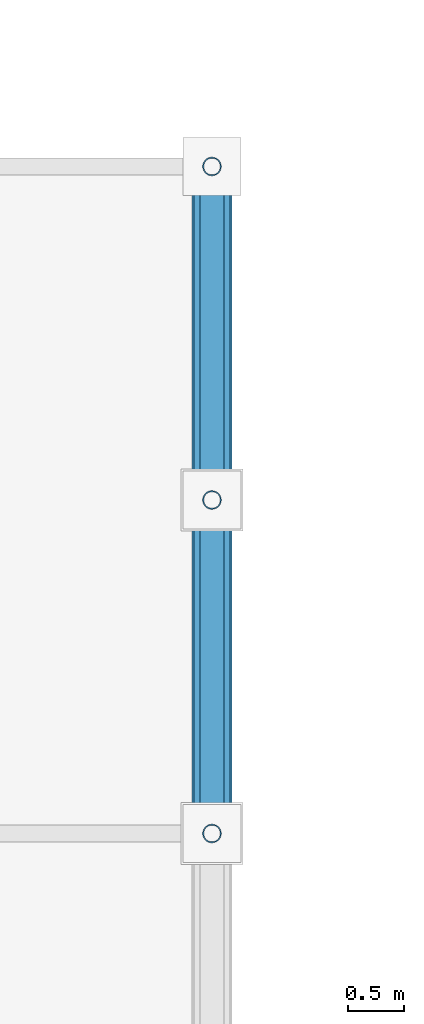
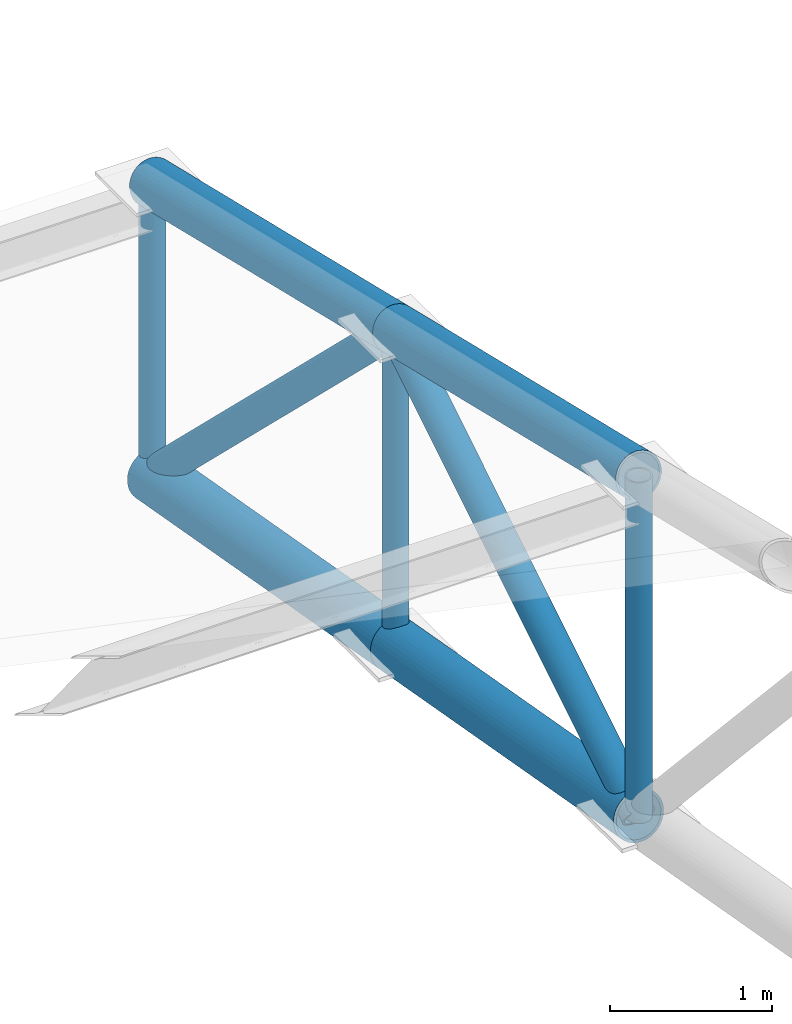
# One storey, part 33 of 123: 9 members.
"""IFC4 building model written with IfcOpenShell, lengths in metres."""

from ifc_helpers import new_model, si_unit, direction, frame, origin, origin_2d, place, context, subcontext, project, spatial, hollow_circle, extrude, material, material_profile, profile_set, type_object, element, save


model = new_model("IFC4")

# Units and contexts
model_context = context("Model", 3, precision=1e-05, world=origin(), true_north=direction((0.0, 1.0)))
body_context = subcontext(model_context, "Body", "Model", "MODEL_VIEW")
ifc_project = project(units=[si_unit("LENGTHUNIT", "METRE"), si_unit("AREAUNIT", "SQUARE_METRE"), si_unit("VOLUMEUNIT", "CUBIC_METRE"), si_unit("PLANEANGLEUNIT", "RADIAN"), si_unit("MASSUNIT", "GRAM", prefix="KILO"), si_unit("THERMODYNAMICTEMPERATUREUNIT", "KELVIN"), si_unit("POWERUNIT", "WATT")], contexts=[model_context])

# Site, building, storey
site_placement = place(None, origin())
site = spatial("IfcSite", under=ifc_project, at=site_placement, CompositionType="ELEMENT")
building_placement = place(site_placement, origin())
building = spatial("IfcBuilding", under=site, at=building_placement, Name="Phaisarnlok Congress Hotel", CompositionType="ELEMENT")
storey_placement = place(building_placement, frame((0.0, 0.0, 15.0)))
storey = spatial("IfcBuildingStorey", under=building, at=storey_placement, Name="L03", CompositionType="ELEMENT", Elevation=15.0)

# Members
ifc_material = material(Name="Steel S355", Category="steel")
ifc_material_profile_1 = material_profile(ifc_material, hollow_circle(Radius=0.084228515625, WallThickness=0.010009765625, at=origin_2d()), Name="CHS 168.3x10")
ifc_profile_set_1 = profile_set([ifc_material_profile_1], Name="Steel S355")
member_type_1 = type_object("IfcMemberType", Name="MEM-BRC-CHS168", PredefinedType="BRACE", material=ifc_profile_set_1)
member_1_placement = place(storey_placement, frame((96.0, 54.0, 0.0), z_axis=(0.0, 0.0, 1.0), x_axis=(1.0, 0.0, 0.0)))
element("IfcMember", 1, at=member_1_placement, inside=storey, type_object=member_type_1, Name="South wing roof truss vertical web", PredefinedType="BRACE", context=body_context, shape_type="SweptSolid", body=[
    extrude(hollow_circle(Radius=0.084228515625, WallThickness=0.010009765625, at=origin_2d()), origin(), (0.0, 0.0, 1.0), 2.199951171875),
])
member_2_placement = place(storey_placement, frame((96.0, 51.0, 0.533447265625), z_axis=(0.0, 0.0, 1.0), x_axis=(1.0, 0.0, 0.0)))
element("IfcMember", 2, at=member_2_placement, inside=storey, type_object=member_type_1, Name="South wing roof truss vertical web", PredefinedType="BRACE", context=body_context, shape_type="SweptSolid", body=[
    extrude(hollow_circle(Radius=0.084228515625, WallThickness=0.010009765625, at=origin_2d()), origin(), (0.0, 0.0, 1.0), 2.382568359375),
])
member_3_placement = place(storey_placement, frame((96.0, 48.0, 1.066650390625), z_axis=(0.0, 0.0, 1.0), x_axis=(1.0, 0.0, 0.0)))
element("IfcMember", 3, at=member_3_placement, inside=storey, type_object=member_type_1, Name="South wing roof truss vertical web", PredefinedType="BRACE", context=body_context, shape_type="SweptSolid", body=[
    extrude(hollow_circle(Radius=0.084228515625, WallThickness=0.010009765625, at=origin_2d()), origin(), (0.0, 0.0, 1.0), 2.5654296875),
])
ifc_material_profile_2 = material_profile(ifc_material, hollow_circle(Radius=0.109619140625, WallThickness=0.012451171875, at=origin_2d()), Name="CHS 219.1x12.5")
ifc_profile_set_2 = profile_set([ifc_material_profile_2], Name="Steel S355")
member_type_2 = type_object("IfcMemberType", Name="MEM-BRC-CHS219", PredefinedType="BRACE", material=ifc_profile_set_2)
member_4_placement = place(storey_placement, frame((96.0, 54.0, 0.0), z_axis=(0.0, -0.717072690854, 0.696998390264), x_axis=(1.0, 0.0, 0.0)))
element("IfcMember", 4, at=member_4_placement, inside=storey, type_object=member_type_2, Name="South wing roof truss diagonal brace", PredefinedType="BRACE", context=body_context, shape_type="SweptSolid", body=[
    extrude(hollow_circle(Radius=0.109619140625, WallThickness=0.012451171875, at=origin_2d()), origin(), (0.0, 0.0, 1.0), 4.18359375),
])
member_5_placement = place(storey_placement, frame((96.0, 48.0, 1.066650390625), z_axis=(0.0, 0.851251329707, 0.524758204959), x_axis=(-1.0, 0.0, 0.0)))
element("IfcMember", 5, at=member_5_placement, inside=storey, type_object=member_type_2, Name="South wing roof truss diagonal brace", PredefinedType="BRACE", context=body_context, shape_type="SweptSolid", body=[
    extrude(hollow_circle(Radius=0.109619140625, WallThickness=0.012451171875, at=origin_2d()), origin(), (0.0, 0.0, 1.0), 3.524169921875),
])
ifc_material_profile_3 = material_profile(ifc_material, hollow_circle(Radius=0.161865234375, WallThickness=0.01611328125, at=origin_2d()), Name="CHS 323.9x16")
ifc_profile_set_3 = profile_set([ifc_material_profile_3], Name="Steel S355")
member_type_3 = type_object("IfcMemberType", Name="MEM-CHD-CHS324", PredefinedType="CHORD", material=ifc_profile_set_3)
for number, where, z_axis, x_axis, name in (
    (6, (96.0, 54.0, 2.199951171875), (0.0, -0.972676115692, 0.232166263617), (1.0, 0.0, 0.0), "South wing roof truss top chord"),
    (7, (96.0, 51.0, 2.916015625), (0.0, -0.972676115692, 0.232166263617), (1.0, 0.0, 0.0), "South wing roof truss top chord"),
):
    element("IfcMember", number, at=place(storey_placement, frame(where, z_axis=z_axis, x_axis=x_axis)), inside=storey, type_object=member_type_3, Name=name, PredefinedType="CHORD", context=body_context, shape_type="SweptSolid", body=[
        extrude(hollow_circle(Radius=0.161865234375, WallThickness=0.01611328125, at=origin_2d()), origin(), (0.0, 0.0, 1.0), 3.084228515625),
    ])
ifc_material_profile_4 = material_profile(ifc_material, hollow_circle(Radius=0.177734375, WallThickness=0.02001953125, at=origin_2d()), Name="CHS 355.6x20")
ifc_profile_set_4 = profile_set([ifc_material_profile_4], Name="Steel S355")
member_type_4 = type_object("IfcMemberType", Name="MEM-CHD-CHS356", PredefinedType="CHORD", material=ifc_profile_set_4)
for number, where, z_axis, x_axis, name in (
    (8, (96.0, 54.0, 0.0), (0.0, -0.984556063496, 0.175069579976), (1.0, 0.0, 0.0), "South wing roof truss bottom chord"),
    (9, (96.0, 51.0, 0.533447265625), (0.0, -0.984569871158, 0.174991910694), (1.0, 0.0, 0.0), "South wing roof truss bottom chord"),
):
    element("IfcMember", number, at=place(storey_placement, frame(where, z_axis=z_axis, x_axis=x_axis)), inside=storey, type_object=member_type_4, Name=name, PredefinedType="CHORD", context=body_context, shape_type="SweptSolid", body=[
        extrude(hollow_circle(Radius=0.177734375, WallThickness=0.02001953125, at=origin_2d()), origin(), (0.0, 0.0, 1.0), 3.047119140625),
    ])

save(model, "model.ifc")
